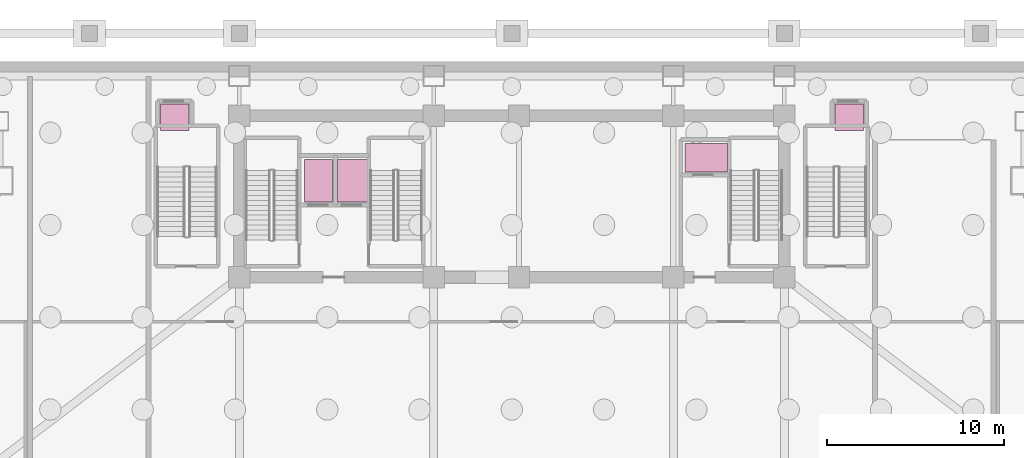
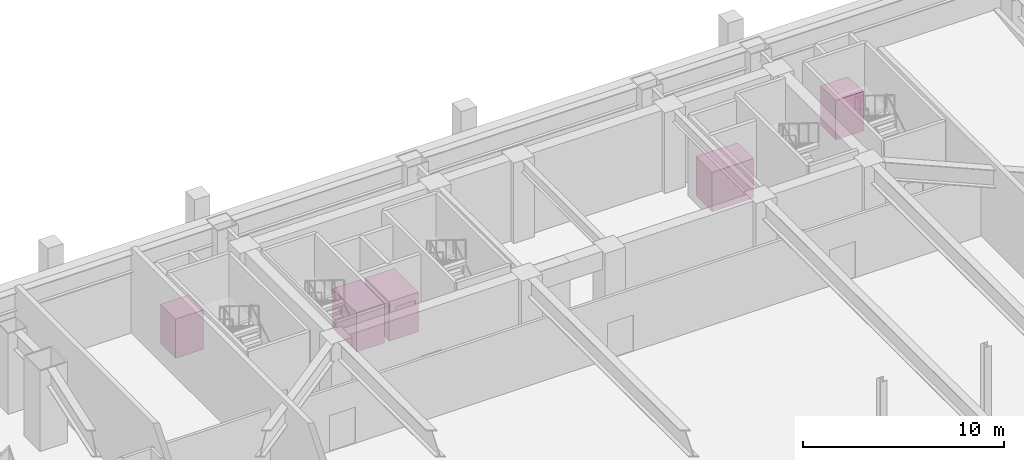
# One storey, part 10 of 10: 5 transport elements.
"""IFC4 building model written with IfcOpenShell, lengths in metres."""

from ifc_helpers import new_model, si_unit, direction, frame, origin, origin_2d, place, context, subcontext, project, spatial, rectangle, extrude, source, transform, mapped, material, type_object, element, save


model = new_model("IFC4")

# Units and contexts
model_context = context("Model", 3, precision=1e-05, world=origin(), true_north=direction((0.0, 1.0)))
body_context = subcontext(model_context, "Body", "Model", "MODEL_VIEW")
ifc_project = project(units=[si_unit("LENGTHUNIT", "METRE"), si_unit("AREAUNIT", "SQUARE_METRE"), si_unit("VOLUMEUNIT", "CUBIC_METRE"), si_unit("PLANEANGLEUNIT", "RADIAN"), si_unit("MASSUNIT", "GRAM", prefix="KILO")], contexts=[model_context])

# Site, building, storey
site_placement = place(None, origin())
site = spatial("IfcSite", under=ifc_project, at=site_placement, CompositionType="ELEMENT")
building_placement = place(site_placement, origin())
building = spatial("IfcBuilding", under=site, at=building_placement, Name="Giltprow Tower", CompositionType="ELEMENT")
storey_placement = place(building_placement, frame((0.0, 0.0, -10.39990234375)))
storey = spatial("IfcBuildingStorey", under=building, at=storey_placement, Name="B02", CompositionType="ELEMENT", Elevation=-10.39990234375)

# Transport elements
ifc_material_1 = material(Name="Anodized bronze cab", Category="metal")
transport_element_type_1 = type_object("IfcTransportElementType", Name="LIFT-POD-1600x1500", PredefinedType="ELEVATOR", material=ifc_material_1)
shared_shape_1 = source(origin(), body_context, "Body", "SweptSolid", [
    extrude(rectangle(XDim=1.60009765625, YDim=1.5, at=origin_2d()), origin(), (0.0, 0.0, 1.0), 2.39990234375),
])
for number, where, z_axis, x_axis, name in (
    (1, (16.2099609375, 46.47509765625, 0.0), (0.0, 0.0, 1.0), (1.0, 0.0, 0.0), "Podium Concourse Passenger Bank Car PL-P1"),
    (2, (54.2099609375, 46.47509765625, 0.0), (0.0, 0.0, 1.0), (1.0, 0.0, 0.0), "Podium Concourse Passenger Bank Car PL-P2"),
):
    element("IfcTransportElement", number, at=place(storey_placement, frame(where, z_axis=z_axis, x_axis=x_axis)), inside=storey, type_object=transport_element_type_1, Name=name, PredefinedType="ELEVATOR", context=body_context, shape_type="MappedRepresentation", body=[
        mapped(shared_shape_1, transform((0.0, 0.0, 0.0), x_axis=(1.0, 0.0, 0.0), y_axis=(0.0, 1.0, 0.0), z_axis=(0.0, 0.0, 1.0), scale=1.0)),
    ])
ifc_material_2 = material(Name="Stainless steel cab", Category="steel")
transport_element_type_2 = type_object("IfcTransportElementType", Name="LIFT-FFL-1600x2400", PredefinedType="ELEVATOR", material=ifc_material_2)
shared_shape_2 = source(origin(), body_context, "Body", "SweptSolid", [
    extrude(rectangle(XDim=1.60009765625, YDim=2.39990234375, at=origin_2d()), origin(), (0.0, 0.0, 1.0), 2.39990234375),
])
transport_element_1_placement = place(storey_placement, frame((24.31005859375, 42.89990234375, 0.0), z_axis=(0.0, 0.0, 1.0), x_axis=(1.0, 0.0, 0.0)))
element("IfcTransportElement", 3, at=transport_element_1_placement, inside=storey, type_object=transport_element_type_2, Name="Dedicated Firefighting and Stretcher Lifts Car FFL1", PredefinedType="ELEVATOR", context=body_context, shape_type="MappedRepresentation", body=[
    mapped(shared_shape_2, transform((0.0, 0.0, 0.0), x_axis=(1.0, 0.0, 0.0), y_axis=(0.0, 1.0, 0.0), z_axis=(0.0, 0.0, 1.0), scale=1.0)),
])
shared_shape_3 = source(origin(), body_context, "Body", "SweptSolid", [
    extrude(rectangle(XDim=2.39990234375, YDim=1.60009765625, at=origin_2d()), origin(), (0.0, 0.0, 1.0), 2.39990234375),
])
transport_element_2_placement = place(storey_placement, frame((46.14990234375, 44.199951171875, 0.0), z_axis=(0.0, 0.0, 1.0), x_axis=(1.0, 0.0, 0.0)))
element("IfcTransportElement", 4, at=transport_element_2_placement, inside=storey, type_object=transport_element_type_2, Name="Dedicated Firefighting and Stretcher Lifts Car FFL2", PredefinedType="ELEVATOR", context=body_context, shape_type="MappedRepresentation", body=[
    mapped(shared_shape_3, transform((0.0, 0.0, 0.0), x_axis=(1.0, 0.0, 0.0), y_axis=(0.0, 1.0, 0.0), z_axis=(0.0, 0.0, 1.0), scale=1.0)),
])
transport_element_type_3 = type_object("IfcTransportElementType", Name="LIFT-SVL-1800x2400", PredefinedType="ELEVATOR", material=ifc_material_2)
shared_shape_4 = source(origin(), body_context, "Body", "SweptSolid", [
    extrude(rectangle(XDim=1.68994140625, YDim=2.39990234375, at=origin_2d()), origin(), (0.0, 0.0, 1.0), 2.39990234375),
])
transport_element_3_placement = place(storey_placement, frame((26.22509765625, 42.89990234375, 0.0), z_axis=(0.0, 0.0, 1.0), x_axis=(1.0, 0.0, 0.0)))
element("IfcTransportElement", 5, at=transport_element_3_placement, inside=storey, type_object=transport_element_type_3, Name="Heavy Goods and Service Lift Car SVL1", PredefinedType="ELEVATOR", context=body_context, shape_type="MappedRepresentation", body=[
    mapped(shared_shape_4, transform((0.0, 0.0, 0.0), x_axis=(1.0, 0.0, 0.0), y_axis=(0.0, 1.0, 0.0), z_axis=(0.0, 0.0, 1.0), scale=1.0)),
])

save(model, "model.ifc")
